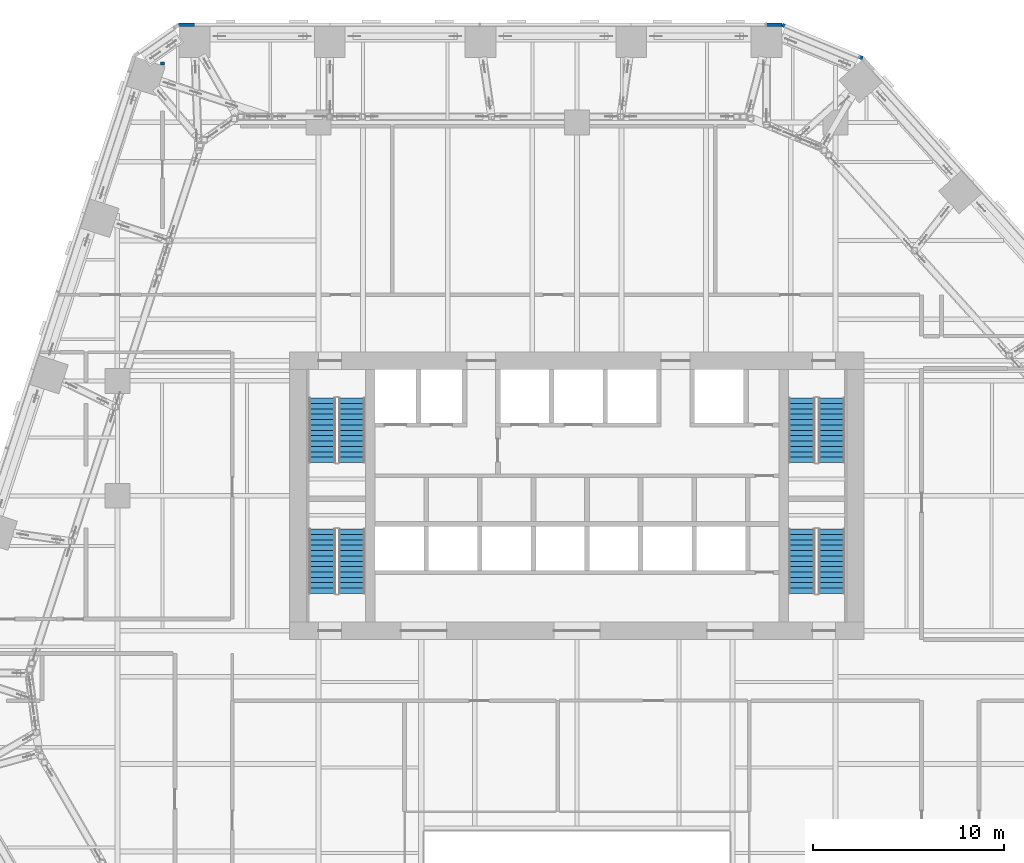
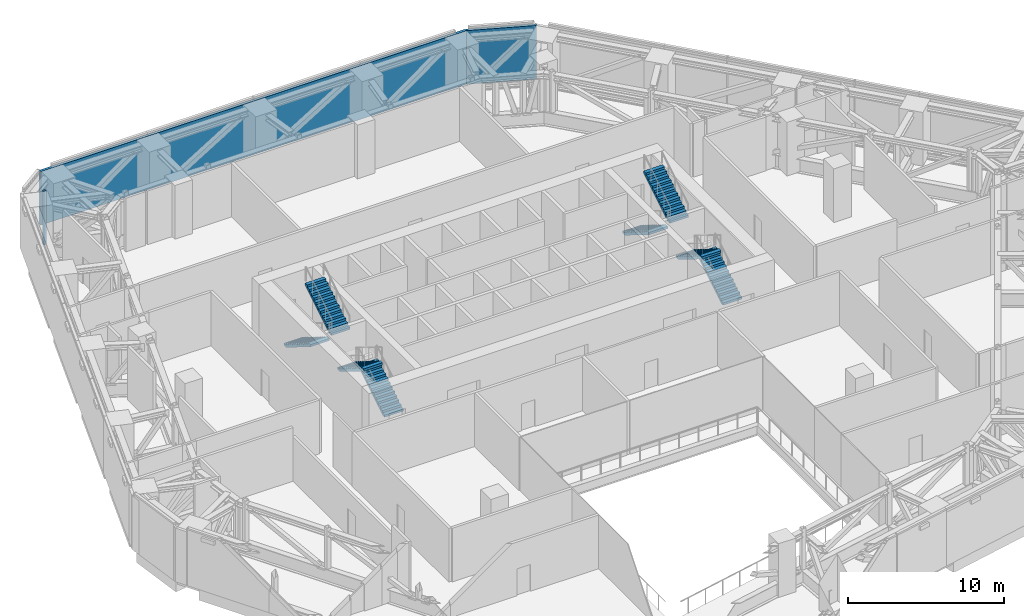
# One storey, part 25 of 36: 8 stair flights, 3 walls, 4 elements without a shape of their own.
"""IFC4 building model written with IfcOpenShell, lengths in metres."""

from ifc_helpers import new_model, si_unit, direction, frame, frame_2d, origin, place, context, subcontext, project, spatial, polyline, rectangle, outline, extrude, material, layer, layer_set, type_object, element, aggregate, save


model = new_model("IFC4")

# Units and contexts
model_context = context("Model", 3, precision=1e-05, world=origin(), true_north=direction((0.0, 1.0)))
body_context = subcontext(model_context, "Body", "Model", "MODEL_VIEW")
ifc_project = project(units=[si_unit("LENGTHUNIT", "METRE"), si_unit("AREAUNIT", "SQUARE_METRE"), si_unit("VOLUMEUNIT", "CUBIC_METRE"), si_unit("PLANEANGLEUNIT", "RADIAN"), si_unit("MASSUNIT", "GRAM", prefix="KILO")], contexts=[model_context])

# Site, building, storey
site_placement = place(None, origin())
site = spatial("IfcSite", under=ifc_project, at=site_placement, CompositionType="ELEMENT")
building_placement = place(site_placement, origin())
building = spatial("IfcBuilding", under=site, at=building_placement, Name="Isthmus Gate Tower", CompositionType="ELEMENT")
storey_placement = place(building_placement, frame((0.0, 0.0, 117.14990234375)))
storey = spatial("IfcBuildingStorey", under=building, at=storey_placement, Name="L28", CompositionType="ELEMENT", Elevation=117.14990234375)

# Walls
ifc_material_1 = material(Name="Concrete f'c 30 MPa", Category="concrete")
ifc_layer = layer(ifc_material_1, 0.199951171875)
ifc_layer_set = layer_set([ifc_layer], Name="Fire-rated block wall 200")
wall_type = type_object("IfcWallType", Name="Fire-rated block wall 200", PredefinedType="PARTITIONING", material=ifc_layer_set)
wall_1_placement = place(storey_placement, frame((-21.64599609375, 29.998046875, 0.0), z_axis=(0.0, 0.0, 1.0), x_axis=(0.0, 1.0, 0.0)))
element("IfcWall", 1, at=wall_1_placement, inside=storey, type_object=wall_type, Name="Fire-rated wall", PredefinedType="PARTITIONING", context=body_context, shape_type="SweptSolid", body=[
    extrude(rectangle(XDim=0.167236328125, YDim=0.199951171875, at=frame_2d((0.08349609375, 0.0))), origin(), (0.0, 0.0, 1.0), 4.2001953125),
])
wall_2_placement = place(storey_placement, frame((10.7216796875, 32.10009765625, 0.0), z_axis=(0.0, 0.0, 1.0), x_axis=(0.923352818253, -0.383952566112, 0.0)))
element("IfcWall", 2, at=wall_2_placement, inside=storey, type_object=wall_type, Name="Fire-rated wall", PredefinedType="PARTITIONING", context=body_context, shape_type="SweptSolid", body=[
    extrude(rectangle(XDim=4.551513671875, YDim=0.199951171875, at=frame_2d((2.27587890625, 0.0))), origin(), (0.0, 0.0, 1.0), 4.2001953125),
])
wall_3_placement = place(storey_placement, frame((-20.807861328125, 32.10009765625, 0.0), z_axis=(0.0, 0.0, 1.0), x_axis=(1.0, 0.0, 0.0)))
element("IfcWall", 3, at=wall_3_placement, inside=storey, type_object=wall_type, Name="Fire-rated wall", PredefinedType="PARTITIONING", context=body_context, shape_type="SweptSolid", body=[
    extrude(rectangle(XDim=31.529541015625, YDim=0.199951171875, at=frame_2d((15.7646484375, 0.0))), origin(), (0.0, 0.0, 1.0), 4.2001953125),
])

# Stair, stair flights
ifc_material_2 = material(Name="Concrete f'c 40 MPa", Category="concrete")
stair_type = type_object("IfcStairType", Name="CORE STAIR 26 RISERS", PredefinedType="HALF_TURN_STAIR", material=ifc_material_2)
stair_1_placement = place(storey_placement, origin())
stair_1 = element("IfcStair", 4, at=stair_1_placement, inside=storey, type_object=stair_type, Name="L28 Exit Stair 1", PredefinedType="HALF_TURN_STAIR")
ifc_material_3 = material(Name="Concrete f'c 40 MPa", Category="concrete")
stair_flight_type = type_object("IfcStairFlightType", Name="STAIR FLIGHT RC 1400", PredefinedType="STRAIGHT", material=ifc_material_3)
stair_flight_1_placement = place(storey_placement, frame((-13.300048828125, 12.60009765625, 0.0), z_axis=(0.0, 0.0, 1.0), x_axis=(0.0, -1.0, 0.0)))
stair_flight_1 = element("IfcStairFlight", 5, at=stair_flight_1_placement, type_object=stair_flight_type, Name="ST1 flight 1", NumberOfRisers=13, NumberOfTreads=12, PredefinedType="STRAIGHT", RiserHeight=0.173076923, TreadLength=0.28, context=body_context, shape_type="SweptSolid", body=[
    extrude(outline(polyline([(0.0, 0.0), (0.0, 0.173095703125), (0.280029296875, 0.173095703125), (0.280029296875, 0.34619140625), (0.56005859375, 0.34619140625), (0.56005859375, 0.519287109375), (0.840087890625, 0.519287109375), (0.840087890625, 0.6923828125), (1.1201171875, 0.6923828125), (1.1201171875, 0.865478515625), (1.39990234375, 0.865478515625), (1.39990234375, 1.03857421875), (1.679931640625, 1.03857421875), (1.679931640625, 1.21142578125), (1.9599609375, 1.21142578125), (1.9599609375, 1.384521484375), (2.239990234375, 1.384521484375), (2.239990234375, 1.5576171875), (2.52001953125, 1.5576171875), (2.52001953125, 1.730712890625), (2.800048828125, 1.730712890625), (2.800048828125, 1.90380859375), (3.080078125, 1.90380859375), (3.080078125, 2.076904296875), (3.360107421875, 2.076904296875), (3.360107421875, 2.25), (3.360107421875, 1.900634765625), (0.28515625, 0.0), (0.0, 0.0)])), frame((0.0, 0.699951171875, 0.0), z_axis=(0.0, -1.0, 0.0), x_axis=(1.0, 0.0, 0.0)), (0.0, 0.0, 1.0), 1.39990234375),
])
stair_flight_2_placement = place(storey_placement, frame((-11.75, 9.239990234375, 2.25), z_axis=(0.0, 0.0, 1.0), x_axis=(0.0, 1.0, 0.0)))
stair_flight_2 = element("IfcStairFlight", 6, at=stair_flight_2_placement, type_object=stair_flight_type, Name="ST1 flight 2", NumberOfRisers=13, NumberOfTreads=12, PredefinedType="STRAIGHT", RiserHeight=0.173076923, TreadLength=0.28, context=body_context, shape_type="SweptSolid", body=[
    extrude(outline(polyline([(0.0, 0.0), (0.0, 0.173095703125), (0.280029296875, 0.173095703125), (0.280029296875, 0.34619140625), (0.56005859375, 0.34619140625), (0.56005859375, 0.519287109375), (0.840087890625, 0.519287109375), (0.840087890625, 0.6923828125), (1.1201171875, 0.6923828125), (1.1201171875, 0.865478515625), (1.39990234375, 0.865478515625), (1.39990234375, 1.03857421875), (1.679931640625, 1.03857421875), (1.679931640625, 1.21142578125), (1.9599609375, 1.21142578125), (1.9599609375, 1.384521484375), (2.239990234375, 1.384521484375), (2.239990234375, 1.5576171875), (2.52001953125, 1.5576171875), (2.52001953125, 1.730712890625), (2.800048828125, 1.730712890625), (2.800048828125, 1.90380859375), (3.080078125, 1.90380859375), (3.080078125, 2.076904296875), (3.360107421875, 2.076904296875), (3.360107421875, 2.25), (3.360107421875, 1.900634765625), (0.28515625, 0.0), (0.0, 0.0)])), frame((0.0, 0.699951171875, 0.0), z_axis=(0.0, -1.0, 0.0), x_axis=(1.0, 0.0, 0.0)), (0.0, 0.0, 1.0), 1.39990234375),
])
aggregate(stair_1, [stair_flight_1, stair_flight_2])

stair_2_placement = place(storey_placement, origin())
stair_2 = element("IfcStair", 7, at=stair_2_placement, inside=storey, type_object=stair_type, Name="L28 Exit Stair 2", PredefinedType="HALF_TURN_STAIR")
stair_flight_3_placement = place(storey_placement, frame((11.75, 12.60009765625, 0.0), z_axis=(0.0, 0.0, 1.0), x_axis=(0.0, -1.0, 0.0)))
stair_flight_3 = element("IfcStairFlight", 8, at=stair_flight_3_placement, type_object=stair_flight_type, Name="ST2 flight 1", NumberOfRisers=13, NumberOfTreads=12, PredefinedType="STRAIGHT", RiserHeight=0.173076923, TreadLength=0.28, context=body_context, shape_type="SweptSolid", body=[
    extrude(outline(polyline([(0.0, 0.0), (0.0, 0.173095703125), (0.280029296875, 0.173095703125), (0.280029296875, 0.34619140625), (0.56005859375, 0.34619140625), (0.56005859375, 0.519287109375), (0.840087890625, 0.519287109375), (0.840087890625, 0.6923828125), (1.1201171875, 0.6923828125), (1.1201171875, 0.865478515625), (1.39990234375, 0.865478515625), (1.39990234375, 1.03857421875), (1.679931640625, 1.03857421875), (1.679931640625, 1.21142578125), (1.9599609375, 1.21142578125), (1.9599609375, 1.384521484375), (2.239990234375, 1.384521484375), (2.239990234375, 1.5576171875), (2.52001953125, 1.5576171875), (2.52001953125, 1.730712890625), (2.800048828125, 1.730712890625), (2.800048828125, 1.90380859375), (3.080078125, 1.90380859375), (3.080078125, 2.076904296875), (3.360107421875, 2.076904296875), (3.360107421875, 2.25), (3.360107421875, 1.900634765625), (0.28515625, 0.0), (0.0, 0.0)])), frame((0.0, 0.699951171875, 0.0), z_axis=(0.0, -1.0, 0.0), x_axis=(1.0, 0.0, 0.0)), (0.0, 0.0, 1.0), 1.39990234375),
])
stair_flight_4_placement = place(storey_placement, frame((13.300048828125, 9.239990234375, 2.25), z_axis=(0.0, 0.0, 1.0), x_axis=(0.0, 1.0, 0.0)))
stair_flight_4 = element("IfcStairFlight", 9, at=stair_flight_4_placement, type_object=stair_flight_type, Name="ST2 flight 2", NumberOfRisers=13, NumberOfTreads=12, PredefinedType="STRAIGHT", RiserHeight=0.173076923, TreadLength=0.28, context=body_context, shape_type="SweptSolid", body=[
    extrude(outline(polyline([(0.0, 0.0), (0.0, 0.173095703125), (0.280029296875, 0.173095703125), (0.280029296875, 0.34619140625), (0.56005859375, 0.34619140625), (0.56005859375, 0.519287109375), (0.840087890625, 0.519287109375), (0.840087890625, 0.6923828125), (1.1201171875, 0.6923828125), (1.1201171875, 0.865478515625), (1.39990234375, 0.865478515625), (1.39990234375, 1.03857421875), (1.679931640625, 1.03857421875), (1.679931640625, 1.21142578125), (1.9599609375, 1.21142578125), (1.9599609375, 1.384521484375), (2.239990234375, 1.384521484375), (2.239990234375, 1.5576171875), (2.52001953125, 1.5576171875), (2.52001953125, 1.730712890625), (2.800048828125, 1.730712890625), (2.800048828125, 1.90380859375), (3.080078125, 1.90380859375), (3.080078125, 2.076904296875), (3.360107421875, 2.076904296875), (3.360107421875, 2.25), (3.360107421875, 1.900634765625), (0.28515625, 0.0), (0.0, 0.0)])), frame((0.0, 0.699951171875, 0.0), z_axis=(0.0, -1.0, 0.0), x_axis=(1.0, 0.0, 0.0)), (0.0, 0.0, 1.0), 1.39990234375),
])
aggregate(stair_2, [stair_flight_3, stair_flight_4])

stair_3_placement = place(storey_placement, origin())
stair_3 = element("IfcStair", 10, at=stair_3_placement, inside=storey, type_object=stair_type, Name="L28 Exit Stair 7", PredefinedType="HALF_TURN_STAIR")
stair_flight_5_placement = place(storey_placement, frame((-11.75, 2.39990234375, 0.0), z_axis=(0.0, 0.0, 1.0), x_axis=(0.0, 1.0, 0.0)))
stair_flight_5 = element("IfcStairFlight", 11, at=stair_flight_5_placement, type_object=stair_flight_type, Name="ST7 flight 1", NumberOfRisers=13, NumberOfTreads=12, PredefinedType="STRAIGHT", RiserHeight=0.173076923, TreadLength=0.28, context=body_context, shape_type="SweptSolid", body=[
    extrude(outline(polyline([(0.0, 0.0), (0.0, 0.173095703125), (0.280029296875, 0.173095703125), (0.280029296875, 0.34619140625), (0.56005859375, 0.34619140625), (0.56005859375, 0.519287109375), (0.840087890625, 0.519287109375), (0.840087890625, 0.6923828125), (1.1201171875, 0.6923828125), (1.1201171875, 0.865478515625), (1.39990234375, 0.865478515625), (1.39990234375, 1.03857421875), (1.679931640625, 1.03857421875), (1.679931640625, 1.21142578125), (1.9599609375, 1.21142578125), (1.9599609375, 1.384521484375), (2.239990234375, 1.384521484375), (2.239990234375, 1.5576171875), (2.52001953125, 1.5576171875), (2.52001953125, 1.730712890625), (2.800048828125, 1.730712890625), (2.800048828125, 1.90380859375), (3.080078125, 1.90380859375), (3.080078125, 2.076904296875), (3.360107421875, 2.076904296875), (3.360107421875, 2.25), (3.360107421875, 1.900634765625), (0.28515625, 0.0), (0.0, 0.0)])), frame((0.0, 0.699951171875, 0.0), z_axis=(0.0, -1.0, 0.0), x_axis=(1.0, 0.0, 0.0)), (0.0, 0.0, 1.0), 1.39990234375),
])
stair_flight_6_placement = place(storey_placement, frame((-13.300048828125, 5.760009765625, 2.25), z_axis=(0.0, 0.0, 1.0), x_axis=(0.0, -1.0, 0.0)))
stair_flight_6 = element("IfcStairFlight", 12, at=stair_flight_6_placement, type_object=stair_flight_type, Name="ST7 flight 2", NumberOfRisers=13, NumberOfTreads=12, PredefinedType="STRAIGHT", RiserHeight=0.173076923, TreadLength=0.28, context=body_context, shape_type="SweptSolid", body=[
    extrude(outline(polyline([(0.0, 0.0), (0.0, 0.173095703125), (0.280029296875, 0.173095703125), (0.280029296875, 0.34619140625), (0.56005859375, 0.34619140625), (0.56005859375, 0.519287109375), (0.840087890625, 0.519287109375), (0.840087890625, 0.6923828125), (1.1201171875, 0.6923828125), (1.1201171875, 0.865478515625), (1.39990234375, 0.865478515625), (1.39990234375, 1.03857421875), (1.679931640625, 1.03857421875), (1.679931640625, 1.21142578125), (1.9599609375, 1.21142578125), (1.9599609375, 1.384521484375), (2.239990234375, 1.384521484375), (2.239990234375, 1.5576171875), (2.52001953125, 1.5576171875), (2.52001953125, 1.730712890625), (2.800048828125, 1.730712890625), (2.800048828125, 1.90380859375), (3.080078125, 1.90380859375), (3.080078125, 2.076904296875), (3.360107421875, 2.076904296875), (3.360107421875, 2.25), (3.360107421875, 1.900634765625), (0.28515625, 0.0), (0.0, 0.0)])), frame((0.0, 0.699951171875, 0.0), z_axis=(0.0, -1.0, 0.0), x_axis=(1.0, 0.0, 0.0)), (0.0, 0.0, 1.0), 1.39990234375),
])
aggregate(stair_3, [stair_flight_5, stair_flight_6])

stair_4_placement = place(storey_placement, origin())
stair_4 = element("IfcStair", 13, at=stair_4_placement, inside=storey, type_object=stair_type, Name="L28 Exit Stair 8", PredefinedType="HALF_TURN_STAIR")
stair_flight_7_placement = place(storey_placement, frame((13.300048828125, 2.39990234375, 0.0), z_axis=(0.0, 0.0, 1.0), x_axis=(0.0, 1.0, 0.0)))
stair_flight_7 = element("IfcStairFlight", 14, at=stair_flight_7_placement, type_object=stair_flight_type, Name="ST8 flight 1", NumberOfRisers=13, NumberOfTreads=12, PredefinedType="STRAIGHT", RiserHeight=0.173076923, TreadLength=0.28, context=body_context, shape_type="SweptSolid", body=[
    extrude(outline(polyline([(0.0, 0.0), (0.0, 0.173095703125), (0.280029296875, 0.173095703125), (0.280029296875, 0.34619140625), (0.56005859375, 0.34619140625), (0.56005859375, 0.519287109375), (0.840087890625, 0.519287109375), (0.840087890625, 0.6923828125), (1.1201171875, 0.6923828125), (1.1201171875, 0.865478515625), (1.39990234375, 0.865478515625), (1.39990234375, 1.03857421875), (1.679931640625, 1.03857421875), (1.679931640625, 1.21142578125), (1.9599609375, 1.21142578125), (1.9599609375, 1.384521484375), (2.239990234375, 1.384521484375), (2.239990234375, 1.5576171875), (2.52001953125, 1.5576171875), (2.52001953125, 1.730712890625), (2.800048828125, 1.730712890625), (2.800048828125, 1.90380859375), (3.080078125, 1.90380859375), (3.080078125, 2.076904296875), (3.360107421875, 2.076904296875), (3.360107421875, 2.25), (3.360107421875, 1.900634765625), (0.28515625, 0.0), (0.0, 0.0)])), frame((0.0, 0.699951171875, 0.0), z_axis=(0.0, -1.0, 0.0), x_axis=(1.0, 0.0, 0.0)), (0.0, 0.0, 1.0), 1.39990234375),
])
stair_flight_8_placement = place(storey_placement, frame((11.75, 5.760009765625, 2.25), z_axis=(0.0, 0.0, 1.0), x_axis=(0.0, -1.0, 0.0)))
stair_flight_8 = element("IfcStairFlight", 15, at=stair_flight_8_placement, type_object=stair_flight_type, Name="ST8 flight 2", NumberOfRisers=13, NumberOfTreads=12, PredefinedType="STRAIGHT", RiserHeight=0.173076923, TreadLength=0.28, context=body_context, shape_type="SweptSolid", body=[
    extrude(outline(polyline([(0.0, 0.0), (0.0, 0.173095703125), (0.280029296875, 0.173095703125), (0.280029296875, 0.34619140625), (0.56005859375, 0.34619140625), (0.56005859375, 0.519287109375), (0.840087890625, 0.519287109375), (0.840087890625, 0.6923828125), (1.1201171875, 0.6923828125), (1.1201171875, 0.865478515625), (1.39990234375, 0.865478515625), (1.39990234375, 1.03857421875), (1.679931640625, 1.03857421875), (1.679931640625, 1.21142578125), (1.9599609375, 1.21142578125), (1.9599609375, 1.384521484375), (2.239990234375, 1.384521484375), (2.239990234375, 1.5576171875), (2.52001953125, 1.5576171875), (2.52001953125, 1.730712890625), (2.800048828125, 1.730712890625), (2.800048828125, 1.90380859375), (3.080078125, 1.90380859375), (3.080078125, 2.076904296875), (3.360107421875, 2.076904296875), (3.360107421875, 2.25), (3.360107421875, 1.900634765625), (0.28515625, 0.0), (0.0, 0.0)])), frame((0.0, 0.699951171875, 0.0), z_axis=(0.0, -1.0, 0.0), x_axis=(1.0, 0.0, 0.0)), (0.0, 0.0, 1.0), 1.39990234375),
])
aggregate(stair_4, [stair_flight_7, stair_flight_8])

save(model, "model.ifc")
